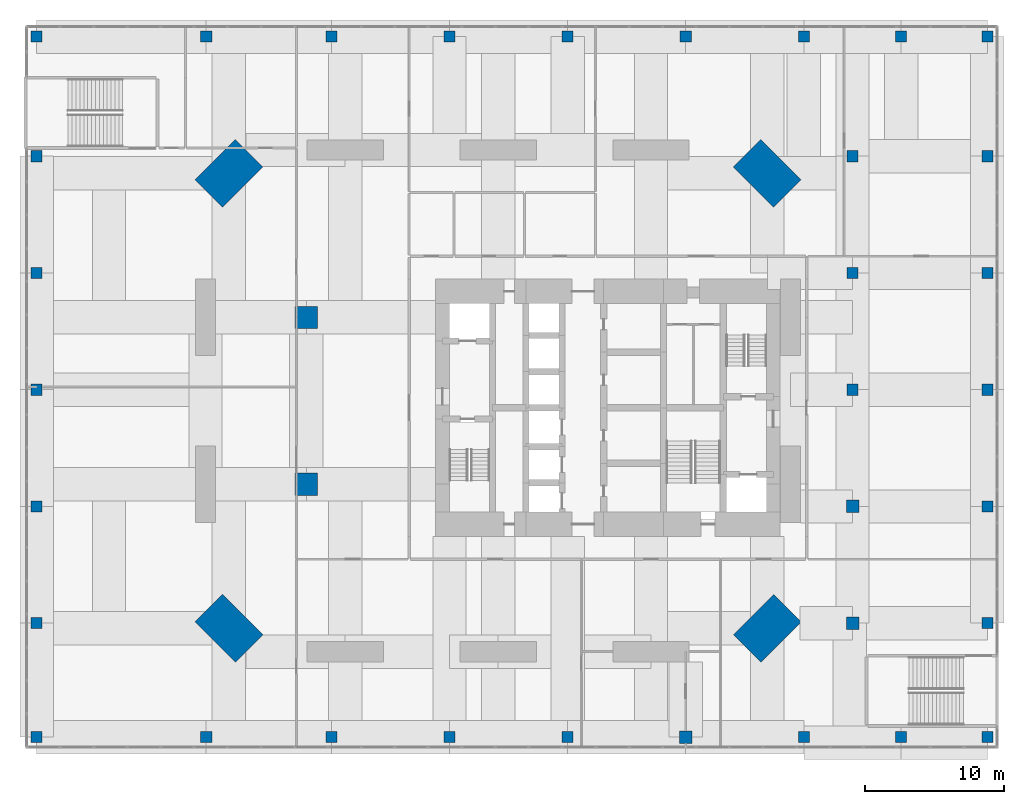
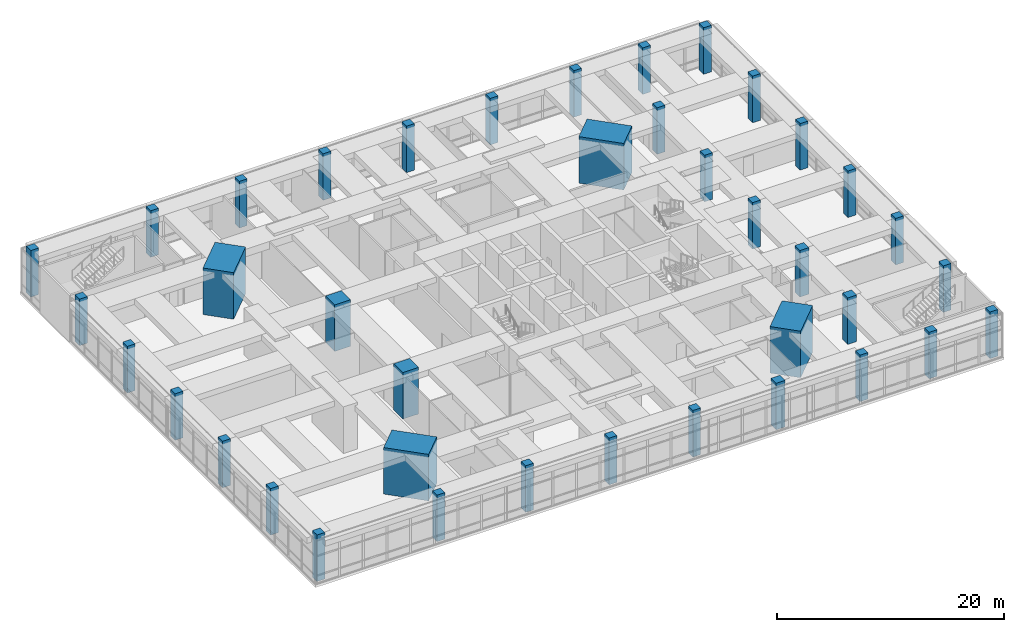
# One storey, part 1 of 22: 39 columns.
"""IFC4 building model written with IfcOpenShell, lengths in metres."""

from ifc_helpers import new_model, si_unit, direction, frame, origin, origin_2d, place, context, subcontext, project, spatial, rectangle, extrude, material, material_profile, profile_set, type_object, element, save


model = new_model("IFC4")

# Units and contexts
model_context = context("Model", 3, precision=1e-05, world=origin(), true_north=direction((0.0, 1.0)))
body_context = subcontext(model_context, "Body", "Model", "MODEL_VIEW")
ifc_project = project(units=[si_unit("LENGTHUNIT", "METRE"), si_unit("AREAUNIT", "SQUARE_METRE"), si_unit("VOLUMEUNIT", "CUBIC_METRE"), si_unit("PLANEANGLEUNIT", "RADIAN"), si_unit("MASSUNIT", "GRAM", prefix="KILO")], contexts=[model_context])

# Site, building, storey
site_placement = place(None, origin())
site = spatial("IfcSite", under=ifc_project, at=site_placement, CompositionType="ELEMENT")
building_placement = place(site_placement, origin())
building = spatial("IfcBuilding", under=site, at=building_placement, Name="Jalousie Tower", CompositionType="ELEMENT")
storey_placement = place(building_placement, frame((0.0, 0.0, 6.0)))
storey = spatial("IfcBuildingStorey", under=building, at=storey_placement, Name="L01", CompositionType="ELEMENT", Elevation=6.0)

# Columns
ifc_material_1 = material(Name="Concrete f'c 120 MPa", Category="concrete")
ifc_material_profile_1 = material_profile(ifc_material_1, rectangle(XDim=1.60009765625, YDim=1.60009765625, at=origin_2d()), Name="RC 1600x1600")
ifc_profile_set_1 = profile_set([ifc_material_profile_1], Name="Concrete f'c 120 MPa")
column_type_1 = type_object("IfcColumnType", Name="RC COLUMN 1600x1600", PredefinedType="COLUMN", material=ifc_profile_set_1)
for number, where, z_axis, x_axis, name in (
    (1, (10.199951171875, 13.0, 0.0), (0.0, 0.0, 1.0), (1.0, 0.0, 0.0), "Interior column IA1 L01"),
    (2, (10.199951171875, 25.0, 0.0), (0.0, 0.0, 1.0), (1.0, 0.0, 0.0), "Interior column IA2 L01"),
):
    element("IfcColumn", number, at=place(storey_placement, frame(where, z_axis=z_axis, x_axis=x_axis)), inside=storey, type_object=column_type_1, Name=name, PredefinedType="COLUMN", context=body_context, shape_type="SweptSolid", body=[
        extrude(rectangle(XDim=1.60009765625, YDim=1.60009765625, at=origin_2d()), origin(), (0.0, 0.0, 1.0), 5.0),
    ])
ifc_material_2 = material(Name="Concrete f'c 120 MPa", Category="concrete")
ifc_material_profile_2 = material_profile(ifc_material_2, rectangle(XDim=0.800048828125, YDim=0.800048828125, at=origin_2d()), Name="RC 800x800")
ifc_profile_set_2 = profile_set([ifc_material_profile_2], Name="Concrete f'c 120 MPa")
column_type_2 = type_object("IfcColumnType", Name="RC COLUMN 800x800", PredefinedType="COLUMN", material=ifc_profile_set_2)
for number, where, z_axis, x_axis, name in (
    (3, (-9.199951171875, -5.199951171875, 0.0), (0.0, 0.0, 1.0), (1.0, 0.0, 0.0), "Podium column P01 L01"),
    (4, (3.0, -5.199951171875, 0.0), (0.0, 0.0, 1.0), (1.0, 0.0, 0.0), "Podium column P02 L01"),
    (5, (12.0, -5.199951171875, 0.0), (0.0, 0.0, 1.0), (1.0, 0.0, 0.0), "Podium column P03 L01"),
    (6, (20.5, -5.199951171875, 0.0), (0.0, 0.0, 1.0), (1.0, 0.0, 0.0), "Podium column P04 L01"),
    (7, (29.0, -5.199951171875, 0.0), (0.0, 0.0, 1.0), (1.0, 0.0, 0.0), "Podium column P05 L01"),
    (8, (46.0, -5.199951171875, 0.0), (0.0, 0.0, 1.0), (1.0, 0.0, 0.0), "Podium column P07 L01"),
    (9, (53.0, -5.199951171875, 0.0), (0.0, 0.0, 1.0), (1.0, 0.0, 0.0), "Podium column P08 L01"),
    (10, (59.199951171875, -5.199951171875, 0.0), (0.0, 0.0, 1.0), (1.0, 0.0, 0.0), "Podium column P09 L01"),
    (11, (-9.199951171875, 3.0, 0.0), (0.0, 0.0, 1.0), (1.0, 0.0, 0.0), "Podium column P10 L01"),
    (12, (59.199951171875, 3.0, 0.0), (0.0, 0.0, 1.0), (1.0, 0.0, 0.0), "Podium column P12 L01"),
    (13, (-9.199951171875, 11.39990234375, 0.0), (0.0, 0.0, 1.0), (1.0, 0.0, 0.0), "Podium column P13 L01"),
    (14, (59.199951171875, 11.39990234375, 0.0), (0.0, 0.0, 1.0), (1.0, 0.0, 0.0), "Podium column P15 L01"),
    (15, (-9.199951171875, 19.800048828125, 0.0), (0.0, 0.0, 1.0), (1.0, 0.0, 0.0), "Podium column P16 L01"),
    (16, (49.5, 19.800048828125, 0.0), (0.0, 0.0, 1.0), (1.0, 0.0, 0.0), "Podium column P17 L01"),
    (17, (59.199951171875, 19.800048828125, 0.0), (0.0, 0.0, 1.0), (1.0, 0.0, 0.0), "Podium column P18 L01"),
    (18, (-9.199951171875, 28.199951171875, 0.0), (0.0, 0.0, 1.0), (1.0, 0.0, 0.0), "Podium column P19 L01"),
    (19, (49.5, 28.199951171875, 0.0), (0.0, 0.0, 1.0), (1.0, 0.0, 0.0), "Podium column P20 L01"),
    (20, (59.199951171875, 28.199951171875, 0.0), (0.0, 0.0, 1.0), (1.0, 0.0, 0.0), "Podium column P21 L01"),
    (21, (-9.199951171875, 36.60009765625, 0.0), (0.0, 0.0, 1.0), (1.0, 0.0, 0.0), "Podium column P22 L01"),
    (22, (49.5, 36.60009765625, 0.0), (0.0, 0.0, 1.0), (1.0, 0.0, 0.0), "Podium column P23 L01"),
    (23, (59.199951171875, 36.60009765625, 0.0), (0.0, 0.0, 1.0), (1.0, 0.0, 0.0), "Podium column P24 L01"),
    (24, (-9.199951171875, 45.199951171875, 0.0), (0.0, 0.0, 1.0), (1.0, 0.0, 0.0), "Podium column P25 L01"),
    (25, (3.0, 45.199951171875, 0.0), (0.0, 0.0, 1.0), (1.0, 0.0, 0.0), "Podium column P26 L01"),
    (26, (12.0, 45.199951171875, 0.0), (0.0, 0.0, 1.0), (1.0, 0.0, 0.0), "Podium column P27 L01"),
    (27, (20.5, 45.199951171875, 0.0), (0.0, 0.0, 1.0), (1.0, 0.0, 0.0), "Podium column P28 L01"),
    (28, (29.0, 45.199951171875, 0.0), (0.0, 0.0, 1.0), (1.0, 0.0, 0.0), "Podium column P29 L01"),
    (29, (37.5, 45.199951171875, 0.0), (0.0, 0.0, 1.0), (1.0, 0.0, 0.0), "Podium column P30 L01"),
    (30, (46.0, 45.199951171875, 0.0), (0.0, 0.0, 1.0), (1.0, 0.0, 0.0), "Podium column P31 L01"),
    (31, (53.0, 45.199951171875, 0.0), (0.0, 0.0, 1.0), (1.0, 0.0, 0.0), "Podium column P32 L01"),
    (32, (59.199951171875, 45.199951171875, 0.0), (0.0, 0.0, 1.0), (1.0, 0.0, 0.0), "Podium column P33 L01"),
):
    element("IfcColumn", number, at=place(storey_placement, frame(where, z_axis=z_axis, x_axis=x_axis)), inside=storey, type_object=column_type_2, Name=name, PredefinedType="COLUMN", context=body_context, shape_type="SweptSolid", body=[
        extrude(rectangle(XDim=0.800048828125, YDim=0.800048828125, at=origin_2d()), origin(), (0.0, 0.0, 1.0), 5.0),
    ])
ifc_material_3 = material(Name="Concrete f'c 120 MPa", Category="concrete")
ifc_material_profile_3 = material_profile(ifc_material_3, rectangle(XDim=0.89990234375, YDim=0.89990234375, at=origin_2d()), Name="RC 900x900")
ifc_profile_set_3 = profile_set([ifc_material_profile_3], Name="Concrete f'c 120 MPa")
column_type_3 = type_object("IfcColumnType", Name="RC COLUMN 900x900", PredefinedType="COLUMN", material=ifc_profile_set_3)
for number, where, z_axis, x_axis, name in (
    (33, (37.5, -5.199951171875, 0.0), (0.0, 0.0, 1.0), (1.0, 0.0, 0.0), "Podium column P06 L01"),
    (34, (49.5, 3.0, 0.0), (0.0, 0.0, 1.0), (1.0, 0.0, 0.0), "Podium column P11 L01"),
    (35, (49.5, 11.39990234375, 0.0), (0.0, 0.0, 1.0), (1.0, 0.0, 0.0), "Podium column P14 L01"),
):
    element("IfcColumn", number, at=place(storey_placement, frame(where, z_axis=z_axis, x_axis=x_axis)), inside=storey, type_object=column_type_3, Name=name, PredefinedType="COLUMN", context=body_context, shape_type="SweptSolid", body=[
        extrude(rectangle(XDim=0.89990234375, YDim=0.89990234375, at=origin_2d()), origin(), (0.0, 0.0, 1.0), 5.0),
    ])
ifc_material_4 = material(Name="Concrete f'c 120 MPa", Category="concrete")
ifc_material_profile_4 = material_profile(ifc_material_4, rectangle(XDim=2.800048828125, YDim=4.10009765625, at=origin_2d()), Name="RC 2800x4100")
ifc_profile_set_4 = profile_set([ifc_material_profile_4], Name="Concrete f'c 120 MPa")
column_type_4 = type_object("IfcColumnType", Name="RC CORNER COLUMN 2800x4100", PredefinedType="COLUMN", material=ifc_profile_set_4)
for number, where, z_axis, x_axis, name in (
    (36, (4.63134765625, 2.63134765625, 0.0), (0.0, 0.0, 1.0), (0.707106781187, 0.707106781187, 0.0), "Corner column 01 L01"),
    (37, (43.36865234375, 2.63134765625, 0.0), (0.0, 0.0, 1.0), (-0.707106781187, 0.707106781187, 0.0), "Corner column 05 L01"),
    (38, (43.36865234375, 35.36865234375, 0.0), (0.0, 0.0, 1.0), (-0.707106781187, -0.707106781187, 0.0), "Corner column 08 L01"),
    (39, (4.63134765625, 35.36865234375, 0.0), (0.0, 0.0, 1.0), (0.707106781187, -0.707106781187, 0.0), "Corner column 12 L01"),
):
    element("IfcColumn", number, at=place(storey_placement, frame(where, z_axis=z_axis, x_axis=x_axis)), inside=storey, type_object=column_type_4, Name=name, PredefinedType="COLUMN", context=body_context, shape_type="SweptSolid", body=[
        extrude(rectangle(XDim=2.800048828125, YDim=4.10009765625, at=origin_2d()), origin(), (0.0, 0.0, 1.0), 5.0),
    ])

save(model, "model.ifc")
